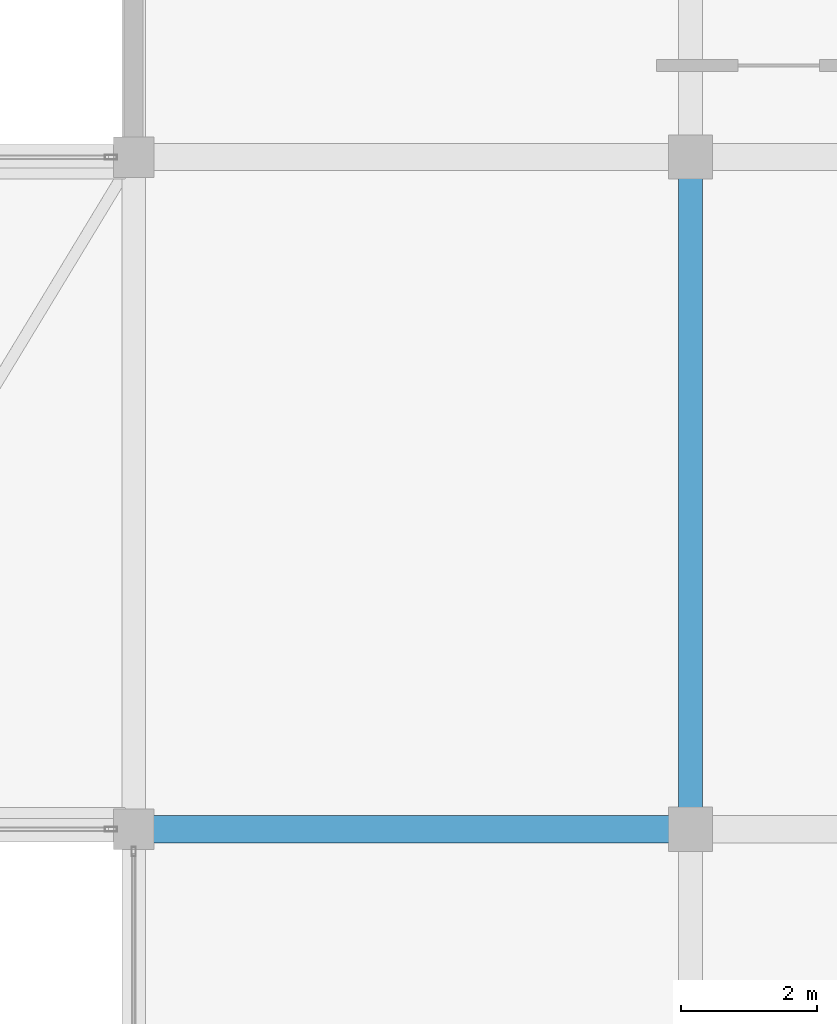
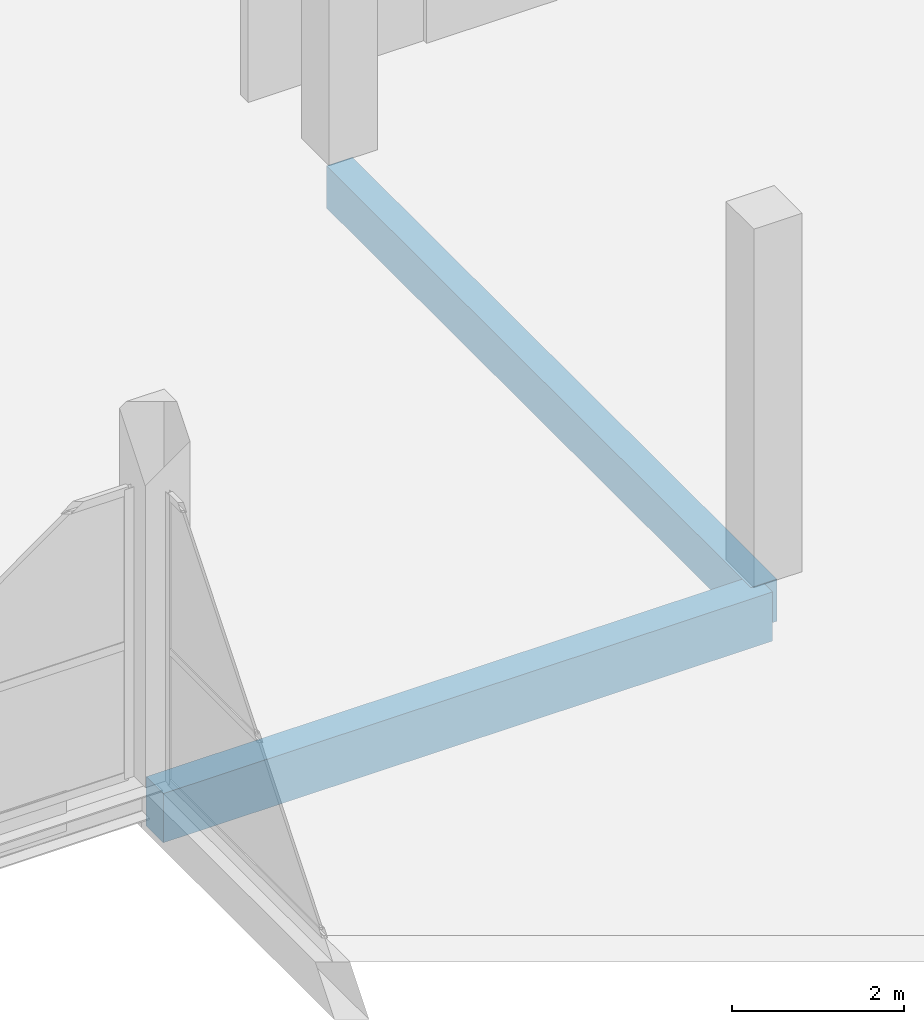
# One storey, part 36 of 66: 2 beams.
"""IFC4 building model written with IfcOpenShell, lengths in metres."""

from ifc_helpers import new_model, si_unit, direction, frame, origin, origin_2d, place, context, subcontext, project, spatial, rectangle, extrude, material, material_profile, profile_set, type_object, element, save


model = new_model("IFC4")

# Units and contexts
model_context = context("Model", 3, precision=1e-05, world=origin(), true_north=direction((0.0, 1.0)))
body_context = subcontext(model_context, "Body", "Model", "MODEL_VIEW")
ifc_project = project(units=[si_unit("LENGTHUNIT", "METRE"), si_unit("AREAUNIT", "SQUARE_METRE"), si_unit("VOLUMEUNIT", "CUBIC_METRE"), si_unit("PLANEANGLEUNIT", "RADIAN"), si_unit("MASSUNIT", "GRAM", prefix="KILO")], contexts=[model_context])

# Site, building, storey
site_placement = place(None, origin())
site = spatial("IfcSite", under=ifc_project, at=site_placement, CompositionType="ELEMENT")
building_placement = place(site_placement, origin())
building = spatial("IfcBuilding", under=site, at=building_placement, Name="Sillaruma Civic Art Gallery", CompositionType="ELEMENT")
storey_placement = place(building_placement, frame((0.0, 0.0, 57.1201171875)))
storey = spatial("IfcBuildingStorey", under=building, at=storey_placement, Name="L11", CompositionType="ELEMENT", Elevation=57.1201171875)

# Beams
ifc_material = material(Name="Concrete H35 (35 MPa)", Category="concrete")
ifc_material_profile_1 = material_profile(ifc_material, rectangle(XDim=0.35009765625, YDim=0.60009765625, at=origin_2d()), Name="RCB350x600")
ifc_profile_set_1 = profile_set([ifc_material_profile_1], Name="Concrete H35 (35 MPa)")
beam_type_1 = type_object("IfcBeamType", Name="BM-BEAM-RCB350x600", PredefinedType="BEAM", material=ifc_profile_set_1)
beam_1_placement = place(storey_placement, frame((106.199951171875, 69.300048828125, -0.550048828125), z_axis=(0.0, 1.0, 0.0), x_axis=(-1.0, 0.0, 0.0)))
element("IfcBeam", 1, at=beam_1_placement, inside=storey, type_object=beam_type_1, Name="Beam BM-06 (L10:M:8-9)", PredefinedType="BEAM", context=body_context, shape_type="SweptSolid", body=[
    extrude(rectangle(XDim=0.35009765625, YDim=0.60009765625, at=origin_2d()), origin(), (0.0, 0.0, 1.0), 9.89990234375),
])
ifc_material_profile_2 = material_profile(ifc_material, rectangle(XDim=0.39990234375, YDim=0.699951171875, at=origin_2d()), Name="RCB400x700")
ifc_profile_set_2 = profile_set([ifc_material_profile_2], Name="Concrete H35 (35 MPa)")
beam_type_2 = type_object("IfcBeamType", Name="BM-BEAM-RCB400x700", PredefinedType="BEAM", material=ifc_profile_set_2)
beam_2_placement = place(storey_placement, frame((98.0, 69.300048828125, -0.60009765625), z_axis=(1.0, 0.0, 0.0), x_axis=(0.0, 1.0, 0.0)))
element("IfcBeam", 2, at=beam_2_placement, inside=storey, type_object=beam_type_2, Name="Beam BM-04 (L10:8:L-M)", PredefinedType="BEAM", context=body_context, shape_type="SweptSolid", body=[
    extrude(rectangle(XDim=0.39990234375, YDim=0.699951171875, at=origin_2d()), origin(), (0.0, 0.0, 1.0), 8.199951171875),
])

save(model, "model.ifc")
